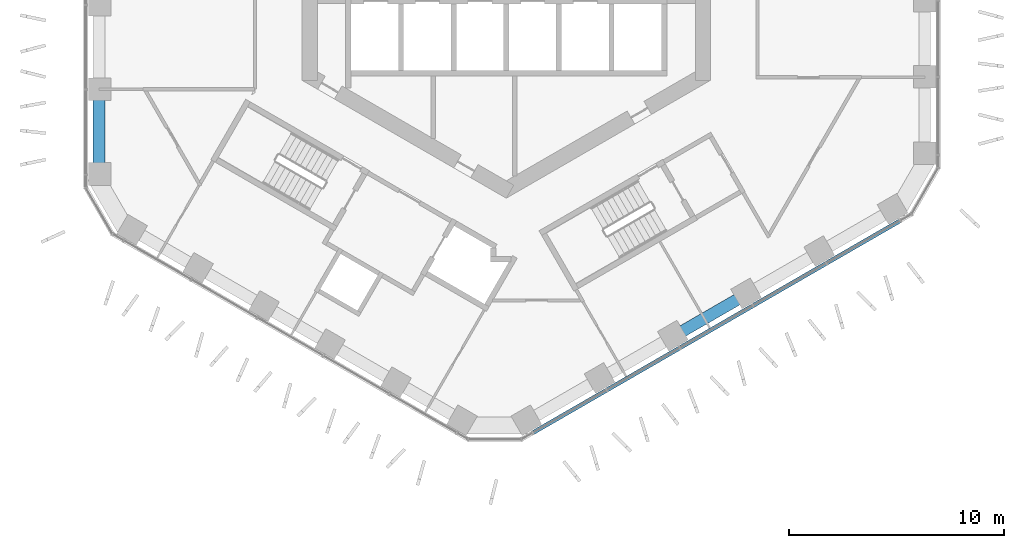
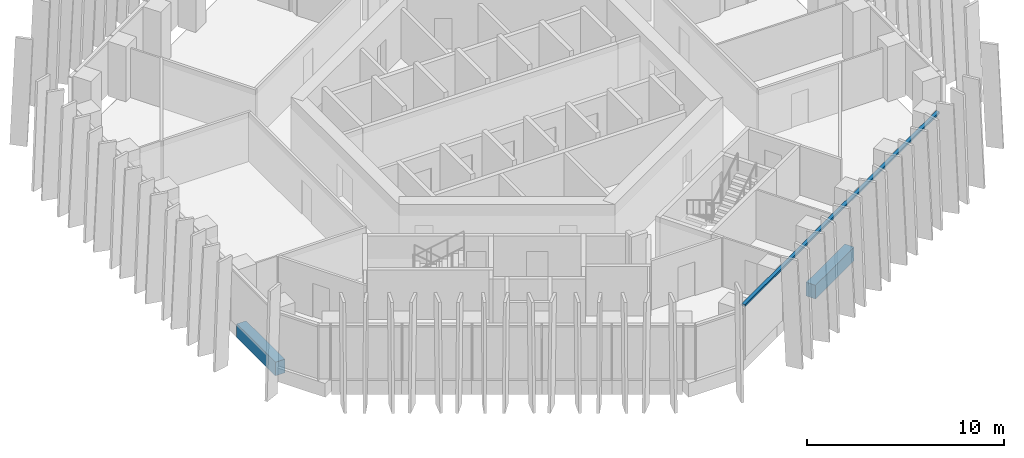
# One storey, part 3 of 19: 2 beams, 1 member, 1 element without a shape of its own.
"""IFC4 building model written with IfcOpenShell, lengths in metres."""

from ifc_helpers import new_model, si_unit, direction, frame, origin, origin_2d, place, context, subcontext, project, spatial, rectangle, extrude, material, layer, layer_set, material_profile, profile_set, type_object, element, aggregate, save


model = new_model("IFC4")

# Units and contexts
model_context = context("Model", 3, precision=1e-05, world=origin(), true_north=direction((0.0, 1.0)))
body_context = subcontext(model_context, "Body", "Model", "MODEL_VIEW")
ifc_project = project(units=[si_unit("LENGTHUNIT", "METRE"), si_unit("AREAUNIT", "SQUARE_METRE"), si_unit("VOLUMEUNIT", "CUBIC_METRE"), si_unit("PLANEANGLEUNIT", "RADIAN"), si_unit("MASSUNIT", "GRAM", prefix="KILO")], contexts=[model_context])

# Site, building, storey
site_placement = place(None, origin())
site = spatial("IfcSite", under=ifc_project, at=site_placement, CompositionType="ELEMENT")
building_placement = place(site_placement, origin())
building = spatial("IfcBuilding", under=site, at=building_placement, Name="Ayvan Gate Tower", CompositionType="ELEMENT")
storey_placement = place(building_placement, frame((0.0, 0.0, 113.699951171875)))
storey = spatial("IfcBuildingStorey", under=building, at=storey_placement, Name="L30", CompositionType="ELEMENT", Elevation=113.699951171875)

# Beams
ifc_material_1 = material(Name="Concrete C40/50", Category="concrete")
ifc_material_profile_1 = material_profile(ifc_material_1, rectangle(XDim=0.550048828125, YDim=0.85009765625, at=origin_2d()), Name="RC 550x850")
ifc_profile_set_1 = profile_set([ifc_material_profile_1], Name="Concrete C40/50")
beam_type = type_object("IfcBeamType", Name="Spandrel beam RC 550x850 C40/50", PredefinedType="BEAM", material=ifc_profile_set_1)
beam_1_placement = place(storey_placement, frame((-18.965087890625, -5.89111328125, -0.77490234375), z_axis=(0.0, -1.0, 0.0), x_axis=(1.0, 0.0, 0.0)))
element("IfcBeam", 1, at=beam_1_placement, inside=storey, type_object=beam_type, Name="SB-L30-23", PredefinedType="BEAM", context=body_context, shape_type="SweptSolid", body=[
    extrude(rectangle(XDim=0.550048828125, YDim=0.85009765625, at=origin_2d()), origin(), (0.0, 0.0, 1.0), 3.927490234375),
])
beam_2_placement = place(storey_placement, frame((7.781982421875, -17.406005859375, -0.77490234375), z_axis=(0.866027196549, 0.499996894828, 0.0), x_axis=(-0.499996894828, 0.866027196549, 0.0)))
element("IfcBeam", 2, at=beam_2_placement, inside=storey, type_object=beam_type, Name="SB-L30-33", PredefinedType="BEAM", context=body_context, shape_type="SweptSolid", body=[
    extrude(rectangle(XDim=0.550048828125, YDim=0.85009765625, at=origin_2d()), origin(), (0.0, 0.0, 1.0), 3.92724609375),
])

# Curtain wall, member
ifc_material_2 = material(Name="Bronze anodised aluminium", Category="aluminium")
ifc_layer = layer(ifc_material_2, 0.199951171875)
ifc_layer_set = layer_set([ifc_layer], Name="Bronze anodised aluminium")
curtain_wall_type = type_object("IfcCurtainWallType", Name="Stick curtain wall CW-1", PredefinedType="NOTDEFINED", material=ifc_layer_set)
curtain_wall_placement = place(storey_placement, origin())
curtain_wall = element("IfcCurtainWall", 3, at=curtain_wall_placement, inside=storey, type_object=curtain_wall_type, Name="Stick curtain wall CW-1 L30", PredefinedType="NOTDEFINED")
ifc_material_profile_2 = material_profile(ifc_material_2, rectangle(XDim=0.199951171875, YDim=0.1201171875, at=origin_2d()), Name="Stick curtain wall CW-1 transom 200 x 120")
ifc_profile_set_2 = profile_set([ifc_material_profile_2], Name="Bronze anodised aluminium")
member_type = type_object("IfcMemberType", Name="Stick curtain wall CW-1 transom 200 x 120", PredefinedType="USERDEFINED", material=ifc_profile_set_2)
member_placement = place(storey_placement, frame((1.233154296875, -21.89306640625, 3.340087890625), z_axis=(0.86602240153, 0.500005200021, 0.0), x_axis=(-0.500005200021, 0.86602240153, 0.0)))
member = element("IfcMember", 4, at=member_placement, type_object=member_type, Name="CW-1 transom 1", ObjectType="TRANSOM", PredefinedType="USERDEFINED", context=body_context, shape_type="SweptSolid", body=[
    extrude(rectangle(XDim=0.199951171875, YDim=0.1201171875, at=origin_2d()), origin(), (0.0, 0.0, 1.0), 19.757080078125),
])
aggregate(curtain_wall, [member])

save(model, "model.ifc")
